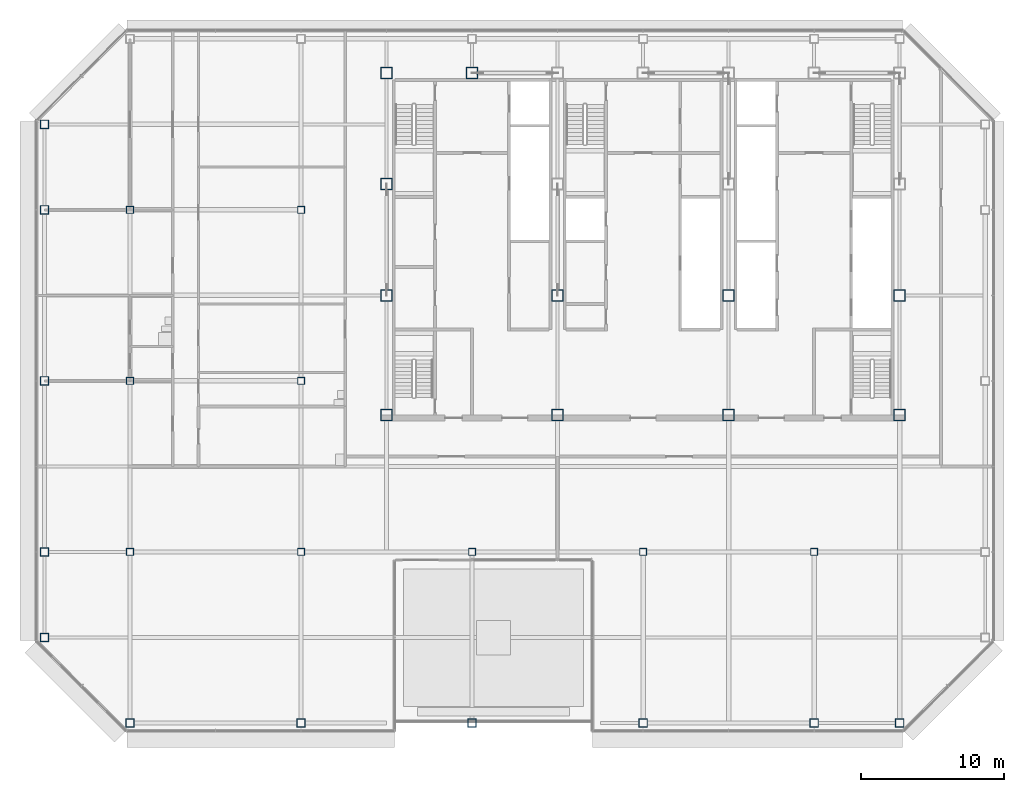
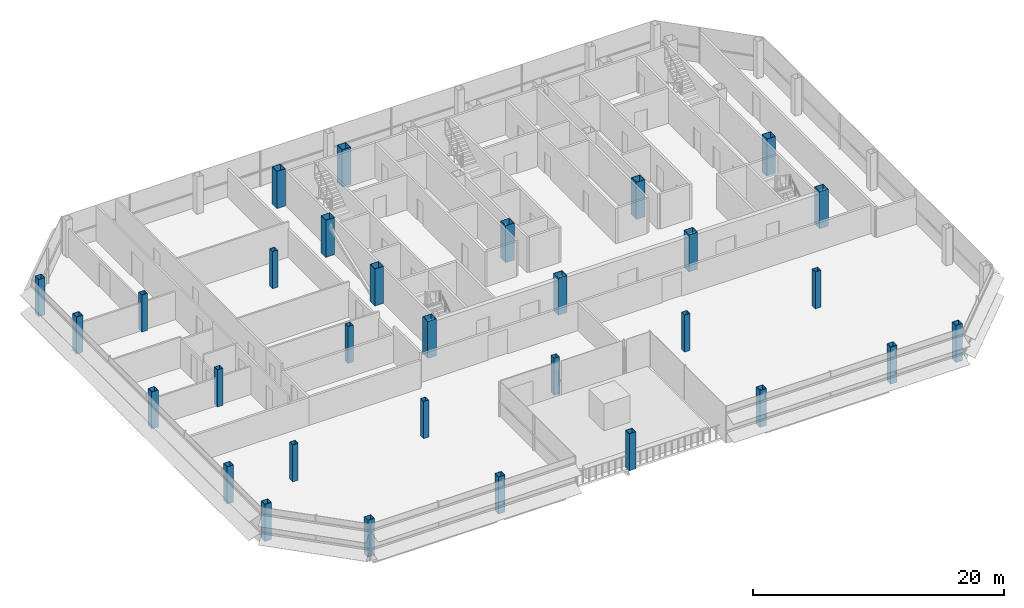
# One storey, part 1 of 27: 31 columns.
"""IFC4 building model written with IfcOpenShell, lengths in metres."""

from ifc_helpers import new_model, si_unit, direction, frame, origin, origin_2d, place, context, subcontext, project, spatial, hollow_rectangle, extrude, material, material_profile, profile_set, type_object, element, save


model = new_model("IFC4")

# Units and contexts
model_context = context("Model", 3, precision=1e-05, world=origin(), true_north=direction((0.0, 1.0)))
body_context = subcontext(model_context, "Body", "Model", "MODEL_VIEW")
ifc_project = project(units=[si_unit("LENGTHUNIT", "METRE"), si_unit("AREAUNIT", "SQUARE_METRE"), si_unit("VOLUMEUNIT", "CUBIC_METRE"), si_unit("PLANEANGLEUNIT", "RADIAN"), si_unit("MASSUNIT", "GRAM", prefix="KILO")], contexts=[model_context])

# Site, building, storey
site_placement = place(None, origin())
site = spatial("IfcSite", under=ifc_project, at=site_placement, CompositionType="ELEMENT")
building_placement = place(site_placement, origin())
building = spatial("IfcBuilding", under=site, at=building_placement, Name="Sorahane Residences", CompositionType="ELEMENT")
storey_placement = place(building_placement, frame((0.0, 0.0, 298.0)))
storey = spatial("IfcBuildingStorey", under=building, at=storey_placement, Name="L70", CompositionType="ELEMENT", Elevation=298.0)

# Columns
ifc_material_1 = material(Name="Steel Q355B", Category="steel")
ifc_material_profile_1 = material_profile(ifc_material_1, hollow_rectangle(XDim=0.5, YDim=0.5, WallThickness=0.02490234375, at=origin_2d()), Name="BOX 500x500x25")
ifc_profile_set_1 = profile_set([ifc_material_profile_1], Name="Steel Q355B")
column_type_1 = type_object("IfcColumnType", Name="Steel box column BOX 500x500x25 Q355B", PredefinedType="COLUMN", material=ifc_profile_set_1)
for number, where, z_axis, x_axis, name in (
    (1, (-12.0, 12.0, 0.0), (0.0, 0.0, 1.0), (1.0, 0.0, 0.0), "Column L70 m12/12"),
    (2, (-12.0, 24.0, 0.0), (0.0, 0.0, 1.0), (1.0, 0.0, 0.0), "Column L70 m12/24"),
    (3, (-12.0, 36.0, 0.0), (0.0, 0.0, 1.0), (1.0, 0.0, 0.0), "Column L70 m12/36"),
    (4, (0.0, 12.0, 0.0), (0.0, 0.0, 1.0), (1.0, 0.0, 0.0), "Column L70 0/12"),
    (5, (0.0, 24.0, 0.0), (0.0, 0.0, 1.0), (1.0, 0.0, 0.0), "Column L70 0/24"),
    (6, (0.0, 36.0, 0.0), (0.0, 0.0, 1.0), (1.0, 0.0, 0.0), "Column L70 0/36"),
    (7, (12.0, 12.0, 0.0), (0.0, 0.0, 1.0), (1.0, 0.0, 0.0), "Column L70 12/12"),
    (8, (24.0, 12.0, 0.0), (0.0, 0.0, 1.0), (1.0, 0.0, 0.0), "Column L70 24/12"),
    (9, (36.0, 12.0, 0.0), (0.0, 0.0, 1.0), (1.0, 0.0, 0.0), "Column L70 36/12"),
):
    element("IfcColumn", number, at=place(storey_placement, frame(where, z_axis=z_axis, x_axis=x_axis)), inside=storey, type_object=column_type_1, Name=name, PredefinedType="COLUMN", context=body_context, shape_type="SweptSolid", body=[
        extrude(hollow_rectangle(XDim=0.5, YDim=0.5, WallThickness=0.02490234375, at=origin_2d()), origin(), (0.0, 0.0, 1.0), 3.60009765625),
    ])
ifc_material_2 = material(Name="Steel Q355B", Category="steel")
ifc_material_profile_2 = material_profile(ifc_material_2, hollow_rectangle(XDim=0.60009765625, YDim=0.60009765625, WallThickness=0.028076171875, at=origin_2d()), Name="BOX 600x600x28")
ifc_profile_set_2 = profile_set([ifc_material_profile_2], Name="Steel Q355B")
column_type_2 = type_object("IfcColumnType", Name="Steel box column BOX 600x600x28 Q355B", PredefinedType="COLUMN", material=ifc_profile_set_2)
for number, where, z_axis, x_axis, name in (
    (10, (-18.0, 6.0, 0.0), (0.0, 0.0, 1.0), (1.0, 0.0, 0.0), "Column L70 m18/6"),
    (11, (-18.0, 12.0, 0.0), (0.0, 0.0, 1.0), (1.0, 0.0, 0.0), "Column L70 m18/12"),
    (12, (-18.0, 24.0, 0.0), (0.0, 0.0, 1.0), (1.0, 0.0, 0.0), "Column L70 m18/24"),
    (13, (-18.0, 36.0, 0.0), (0.0, 0.0, 1.0), (1.0, 0.0, 0.0), "Column L70 m18/36"),
    (14, (-18.0, 42.0, 0.0), (0.0, 0.0, 1.0), (1.0, 0.0, 0.0), "Column L70 m18/42"),
    (15, (-12.0, 0.0, 0.0), (0.0, 0.0, 1.0), (1.0, 0.0, 0.0), "Column L70 m12/0"),
    (16, (0.0, 0.0, 0.0), (0.0, 0.0, 1.0), (1.0, 0.0, 0.0), "Column L70 0/0"),
    (17, (12.0, 0.0, 0.0), (0.0, 0.0, 1.0), (1.0, 0.0, 0.0), "Column L70 12/0"),
    (18, (24.0, 0.0, 0.0), (0.0, 0.0, 1.0), (1.0, 0.0, 0.0), "Column L70 24/0"),
    (19, (36.0, 0.0, 0.0), (0.0, 0.0, 1.0), (1.0, 0.0, 0.0), "Column L70 36/0"),
    (20, (42.0, 0.0, 0.0), (0.0, 0.0, 1.0), (1.0, 0.0, 0.0), "Column L70 42/0"),
):
    element("IfcColumn", number, at=place(storey_placement, frame(where, z_axis=z_axis, x_axis=x_axis)), inside=storey, type_object=column_type_2, Name=name, PredefinedType="COLUMN", context=body_context, shape_type="SweptSolid", body=[
        extrude(hollow_rectangle(XDim=0.60009765625, YDim=0.60009765625, WallThickness=0.028076171875, at=origin_2d()), origin(), (0.0, 0.0, 1.0), 3.60009765625),
    ])
ifc_material_3 = material(Name="Steel Q355B", Category="steel")
ifc_material_profile_3 = material_profile(ifc_material_3, hollow_rectangle(XDim=0.800048828125, YDim=0.800048828125, WallThickness=0.031982421875, at=origin_2d()), Name="BOX 800x800x32")
ifc_profile_set_3 = profile_set([ifc_material_profile_3], Name="Steel Q355B")
column_type_3 = type_object("IfcColumnType", Name="Steel box column BOX 800x800x32 Q355B", PredefinedType="COLUMN", material=ifc_profile_set_3)
for number, where, z_axis, x_axis, name in (
    (21, (6.0, 21.60009765625, 0.0), (0.0, 0.0, 1.0), (1.0, 0.0, 0.0), "Column L70 6/21.6"),
    (22, (6.0, 30.0, 0.0), (0.0, 0.0, 1.0), (1.0, 0.0, 0.0), "Column L70 6/30"),
    (23, (6.0, 37.800048828125, 0.0), (0.0, 0.0, 1.0), (1.0, 0.0, 0.0), "Column L70 6/37.8"),
    (24, (6.0, 45.60009765625, 0.0), (0.0, 0.0, 1.0), (1.0, 0.0, 0.0), "Column L70 6/45.6"),
    (25, (12.0, 45.60009765625, 0.0), (0.0, 0.0, 1.0), (1.0, 0.0, 0.0), "Column L70 12/45.6"),
    (26, (18.0, 21.60009765625, 0.0), (0.0, 0.0, 1.0), (1.0, 0.0, 0.0), "Column L70 18/21.6"),
    (27, (18.0, 30.0, 0.0), (0.0, 0.0, 1.0), (1.0, 0.0, 0.0), "Column L70 18/30"),
    (28, (30.0, 21.60009765625, 0.0), (0.0, 0.0, 1.0), (1.0, 0.0, 0.0), "Column L70 30/21.6"),
    (29, (30.0, 30.0, 0.0), (0.0, 0.0, 1.0), (1.0, 0.0, 0.0), "Column L70 30/30"),
    (30, (42.0, 21.60009765625, 0.0), (0.0, 0.0, 1.0), (1.0, 0.0, 0.0), "Column L70 42/21.6"),
    (31, (42.0, 30.0, 0.0), (0.0, 0.0, 1.0), (1.0, 0.0, 0.0), "Column L70 42/30"),
):
    element("IfcColumn", number, at=place(storey_placement, frame(where, z_axis=z_axis, x_axis=x_axis)), inside=storey, type_object=column_type_3, Name=name, PredefinedType="COLUMN", context=body_context, shape_type="SweptSolid", body=[
        extrude(hollow_rectangle(XDim=0.800048828125, YDim=0.800048828125, WallThickness=0.031982421875, at=origin_2d()), origin(), (0.0, 0.0, 1.0), 3.60009765625),
    ])

save(model, "model.ifc")
